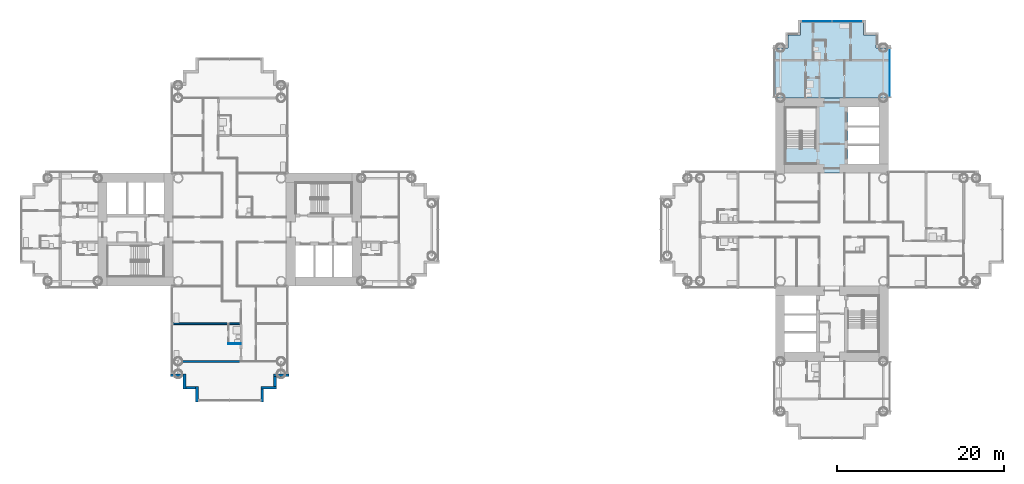
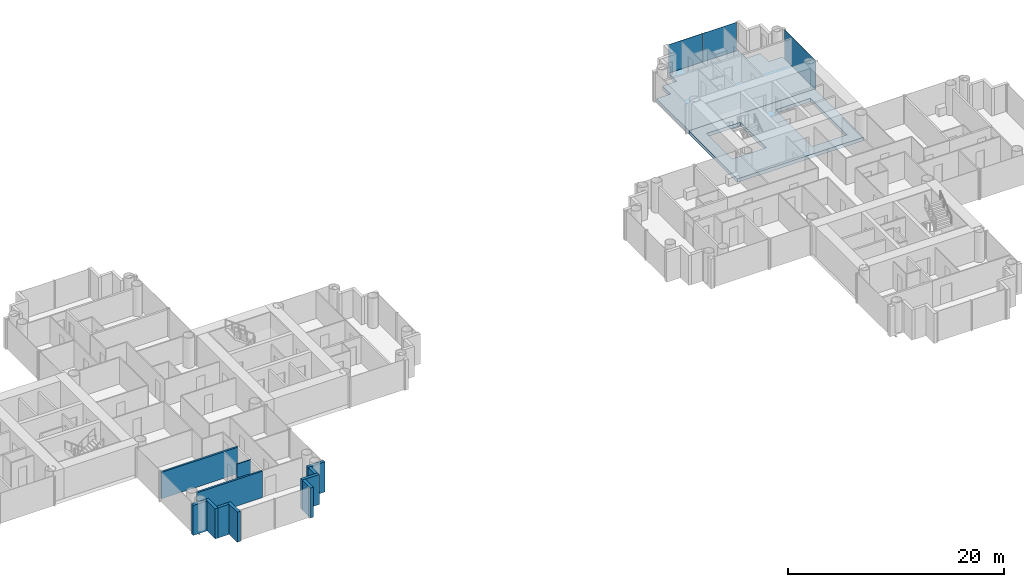
# One storey, part 8 of 21: 11 walls, 3 plates, 2 slabs, 2 elements without a shape of their own.
"""IFC4 building model written with IfcOpenShell, lengths in metres."""

from ifc_helpers import new_model, si_unit, direction, frame, frame_2d, origin, origin_2d, place, context, subcontext, project, spatial, polyline, rectangle, outline, extrude, material, layer, layer_set, type_object, element, aggregate, save


model = new_model("IFC4")

# Units and contexts
model_context = context("Model", 3, precision=1e-05, world=origin(), true_north=direction((0.0, 1.0)))
body_context = subcontext(model_context, "Body", "Model", "MODEL_VIEW")
ifc_project = project(units=[si_unit("LENGTHUNIT", "METRE"), si_unit("AREAUNIT", "SQUARE_METRE"), si_unit("VOLUMEUNIT", "CUBIC_METRE"), si_unit("PLANEANGLEUNIT", "RADIAN"), si_unit("MASSUNIT", "GRAM", prefix="KILO")], contexts=[model_context])

# Site, building, storey
site_placement = place(None, origin())
site = spatial("IfcSite", under=ifc_project, at=site_placement, CompositionType="ELEMENT")
building_placement = place(site_placement, origin())
building = spatial("IfcBuilding", under=site, at=building_placement, Name="Ipe Terrace Towers", CompositionType="ELEMENT")
storey_placement = place(building_placement, frame((0.0, 0.0, 34.699951171875)))
storey = spatial("IfcBuildingStorey", under=building, at=storey_placement, Name="L08", CompositionType="ELEMENT", Elevation=34.699951171875)

# Slabs
ifc_material_1 = material(Name="Concrete C30/37", Category="concrete")
ifc_layer_1 = layer(ifc_material_1, 0.39990234375)
ifc_layer_set_1 = layer_set([ifc_layer_1], Name="CORE FLOOR SLAB 400 C30-37")
slab_type_1 = type_object("IfcSlabType", Name="CORE FLOOR SLAB 400 C30-37", PredefinedType="FLOOR", material=ifc_layer_set_1)
slab_1_placement = place(storey_placement, frame((0.0, 0.0, -0.39990234375)))
element("IfcSlab", 1, at=slab_1_placement, inside=storey, type_object=slab_type_1, Name="Core floor T2-C1", PredefinedType="FLOOR", context=body_context, shape_type="SweptSolid", body=[
    extrude(outline(polyline([(29.25, 6.75), (29.25, 15.75), (42.75, 15.75), (42.75, 6.75), (29.25, 6.75)]), holes=[polyline([(41.64990234375, 7.85009765625), (41.64990234375, 14.64990234375), (37.89990234375, 14.64990234375), (37.89990234375, 7.85009765625), (41.64990234375, 7.85009765625)]), polyline([(30.449951171875, 9.800048828125), (34.10009765625, 9.800048828125), (34.10009765625, 14.550048828125), (30.449951171875, 14.550048828125), (30.449951171875, 9.800048828125)])]), origin(), (0.0, 0.0, 1.0), 0.39990234375),
])
ifc_material_2 = material(Name="Concrete C40/50", Category="concrete")
ifc_layer_2 = layer(ifc_material_2, 0.39990234375)
ifc_layer_set_2 = layer_set([ifc_layer_2], Name="FLAT PLATE SLAB 400 C40-50")
slab_type_2 = type_object("IfcSlabType", Name="FLAT PLATE SLAB 400 C40-50", PredefinedType="FLOOR", material=ifc_layer_set_2)
slab_2_placement = place(storey_placement, frame((0.0, 0.0, -0.39990234375)))
element("IfcSlab", 2, at=slab_2_placement, inside=storey, type_object=slab_type_2, Name="Slab T2-FS-Z13", PredefinedType="FLOOR", context=body_context, shape_type="SweptSolid", body=[
    extrude(outline(polyline([(30.75, 21.75), (30.75, 23.25), (32.25, 23.25), (32.25, 24.75), (39.75, 24.75), (39.75, 23.25), (41.25, 23.25), (41.25, 21.75), (42.75, 21.75), (42.75, 15.75), (29.25, 15.75), (29.25, 21.75), (30.75, 21.75)])), origin(), (0.0, 0.0, 1.0), 0.39990234375),
])

# Curtain wall, plate
ifc_material_3 = material(Name="Aluminium alloy 6063-T6", Category="aluminium")
ifc_layer_3 = layer(ifc_material_3, 0.320068359375)
ifc_layer_set_3 = layer_set([ifc_layer_3], Name="TOWER UNITISED CURTAIN WALL")
curtain_wall_type = type_object("IfcCurtainWallType", Name="TOWER UNITISED CURTAIN WALL", PredefinedType="NOTDEFINED", material=ifc_layer_set_3)
curtain_wall_1_placement = place(storey_placement, origin())
curtain_wall_1 = element("IfcCurtainWall", 3, at=curtain_wall_1_placement, inside=storey, type_object=curtain_wall_type, Name="T2-CW-L08-20b curtain wall", PredefinedType="NOTDEFINED")
ifc_material_4 = material(Name="Glass, clear laminated", Category="glass")
ifc_layer_4 = layer(ifc_material_4, 0.031982421875)
ifc_layer_set_4 = layer_set([ifc_layer_4], Name="TOWER UNITISED GLASS PANEL 32")
plate_type = type_object("IfcPlateType", Name="TOWER UNITISED GLASS PANEL 32", PredefinedType="CURTAIN_PANEL", material=ifc_layer_set_4)
plate_1_placement = place(storey_placement, frame((42.909912109375, 18.75048828125, -0.2998046875), z_axis=(0.0, 0.0, 1.0), x_axis=(0.0, 1.0, 0.0)))
plate_1 = element("IfcPlate", 4, at=plate_1_placement, type_object=plate_type, Name="T2-CW-L08-20b panel 1", PredefinedType="CURTAIN_PANEL", context=body_context, shape_type="SweptSolid", body=[
    extrude(rectangle(XDim=5.759033203125, YDim=0.031982421875, at=origin_2d()), origin(), (0.0, 0.0, 1.0), 3.39990234375),
])
aggregate(curtain_wall_1, [plate_1])

# Curtain wall, plates
curtain_wall_2_placement = place(storey_placement, origin())
curtain_wall_2 = element("IfcCurtainWall", 5, at=curtain_wall_2_placement, inside=storey, type_object=curtain_wall_type, Name="T2-CW-L08-25a curtain wall", PredefinedType="NOTDEFINED")
plate_2_placement = place(storey_placement, frame((37.831298828125, 24.909912109375, -0.2998046875), z_axis=(0.0, 0.0, 1.0), x_axis=(-1.0, 0.0, 0.0)))
plate_2 = element("IfcPlate", 6, at=plate_2_placement, type_object=plate_type, Name="T2-CW-L08-25a panel 1", PredefinedType="CURTAIN_PANEL", context=body_context, shape_type="SweptSolid", body=[
    extrude(rectangle(XDim=3.597412109375, YDim=0.031982421875, at=origin_2d()), origin(), (0.0, 0.0, 1.0), 3.39990234375),
])
plate_3_placement = place(storey_placement, frame((34.168701171875, 24.909912109375, -0.2998046875), z_axis=(0.0, 0.0, 1.0), x_axis=(-1.0, 0.0, 0.0)))
plate_3 = element("IfcPlate", 7, at=plate_3_placement, type_object=plate_type, Name="T2-CW-L08-25a panel 2", PredefinedType="CURTAIN_PANEL", context=body_context, shape_type="SweptSolid", body=[
    extrude(rectangle(XDim=3.597412109375, YDim=0.031982421875, at=origin_2d()), origin(), (0.0, 0.0, 1.0), 3.39990234375),
])
aggregate(curtain_wall_2, [plate_2, plate_3])

# Walls
ifc_material_5 = material(Name="Concrete C40/50 with buff precast cladding", Category="concrete")
ifc_layer_5 = layer(ifc_material_5, 0.320068359375)
ifc_layer_set_5 = layer_set([ifc_layer_5], Name="BUFF CLADDING WALL 320")
wall_type_1 = type_object("IfcWallType", Name="BUFF CLADDING WALL 320", PredefinedType="STANDARD", material=ifc_layer_set_5)
wall_1_placement = place(storey_placement, frame((-43.070068359375, -17.409912109375, -0.300048828125), z_axis=(0.0, 0.0, 1.0), x_axis=(1.0, 0.0, 0.0)))
element("IfcWall", 8, at=wall_1_placement, inside=storey, type_object=wall_type_1, Name="T1-W-L08-08a wall", PredefinedType="STANDARD", context=body_context, shape_type="SweptSolid", body=[
    extrude(rectangle(XDim=1.5, YDim=0.320068359375, at=frame_2d((0.75, 0.0))), origin(), (0.0, 0.0, 1.0), 3.400146484375),
])
wall_2_placement = place(storey_placement, frame((-41.409912109375, -17.25, -0.300048828125), z_axis=(0.0, 0.0, 1.0), x_axis=(0.0, -1.0, 0.0)))
element("IfcWall", 9, at=wall_2_placement, inside=storey, type_object=wall_type_1, Name="T1-W-L08-09a wall", PredefinedType="STANDARD", context=body_context, shape_type="SweptSolid", body=[
    extrude(rectangle(XDim=1.820068359375, YDim=0.320068359375, at=frame_2d((0.91015625, 0.0))), origin(), (0.0, 0.0, 1.0), 3.400146484375),
])
wall_3_placement = place(storey_placement, frame((-41.25, -18.909912109375, -0.300048828125), z_axis=(0.0, 0.0, 1.0), x_axis=(1.0, 0.0, 0.0)))
element("IfcWall", 10, at=wall_3_placement, inside=storey, type_object=wall_type_1, Name="T1-W-L08-10a wall", PredefinedType="STANDARD", context=body_context, shape_type="SweptSolid", body=[
    extrude(rectangle(XDim=1.179931640625, YDim=0.320068359375, at=frame_2d((0.58984375, 0.0))), origin(), (0.0, 0.0, 1.0), 3.400146484375),
])
wall_4_placement = place(storey_placement, frame((-39.909912109375, -18.75, -0.300048828125), z_axis=(0.0, 0.0, 1.0), x_axis=(0.0, -1.0, 0.0)))
element("IfcWall", 11, at=wall_4_placement, inside=storey, type_object=wall_type_1, Name="T1-W-L08-11a wall", PredefinedType="STANDARD", context=body_context, shape_type="SweptSolid", body=[
    extrude(rectangle(XDim=1.820068359375, YDim=0.320068359375, at=frame_2d((0.91015625, 0.0))), origin(), (0.0, 0.0, 1.0), 3.400146484375),
])
wall_5_placement = place(storey_placement, frame((-32.090087890625, -20.570068359375, -0.300048828125), z_axis=(0.0, 0.0, 1.0), x_axis=(0.0, 1.0, 0.0)))
element("IfcWall", 12, at=wall_5_placement, inside=storey, type_object=wall_type_1, Name="T1-W-L08-13a wall", PredefinedType="STANDARD", context=body_context, shape_type="SweptSolid", body=[
    extrude(rectangle(XDim=1.5, YDim=0.320068359375, at=frame_2d((0.75, 0.0))), origin(), (0.0, 0.0, 1.0), 3.400146484375),
])
wall_6_placement = place(storey_placement, frame((-32.25, -18.909912109375, -0.300048828125), z_axis=(0.0, 0.0, 1.0), x_axis=(1.0, 0.0, 0.0)))
element("IfcWall", 13, at=wall_6_placement, inside=storey, type_object=wall_type_1, Name="T1-W-L08-14a wall", PredefinedType="STANDARD", context=body_context, shape_type="SweptSolid", body=[
    extrude(rectangle(XDim=1.820068359375, YDim=0.320068359375, at=frame_2d((0.91015625, 0.0))), origin(), (0.0, 0.0, 1.0), 3.400146484375),
])
wall_7_placement = place(storey_placement, frame((-30.590087890625, -18.75, -0.300048828125), z_axis=(0.0, 0.0, 1.0), x_axis=(0.0, 1.0, 0.0)))
element("IfcWall", 14, at=wall_7_placement, inside=storey, type_object=wall_type_1, Name="T1-W-L08-15a wall", PredefinedType="STANDARD", context=body_context, shape_type="SweptSolid", body=[
    extrude(rectangle(XDim=1.179931640625, YDim=0.320068359375, at=frame_2d((0.58984375, 0.0))), origin(), (0.0, 0.0, 1.0), 3.400146484375),
])
wall_8_placement = place(storey_placement, frame((-30.75, -17.409912109375, -0.300048828125), z_axis=(0.0, 0.0, 1.0), x_axis=(1.0, 0.0, 0.0)))
element("IfcWall", 15, at=wall_8_placement, inside=storey, type_object=wall_type_1, Name="T1-W-L08-16a wall", PredefinedType="STANDARD", context=body_context, shape_type="SweptSolid", body=[
    extrude(rectangle(XDim=1.820068359375, YDim=0.320068359375, at=frame_2d((0.91015625, 0.0))), origin(), (0.0, 0.0, 1.0), 3.400146484375),
])
ifc_material_6 = material(Name="Gypsum board partition", Category="plasterboard")
ifc_layer_6 = layer(ifc_material_6, 0.10009765625)
ifc_layer_set_6 = layer_set([ifc_layer_6], Name="Gypsum board partition 100 mm")
wall_type_2 = type_object("IfcWallType", Name="Gypsum board partition 100 mm", PredefinedType="PARTITIONING", material=ifc_layer_set_6)
wall_9_placement = place(storey_placement, frame((-36.14990234375, -13.64990234375, 0.0), z_axis=(0.0, 0.0, 1.0), x_axis=(1.0, 0.0, 0.0)))
element("IfcWall", 16, at=wall_9_placement, inside=storey, type_object=wall_type_2, Name="Gypsum board partition T1 L08 W23", PredefinedType="PARTITIONING", context=body_context, shape_type="SweptSolid", body=[
    extrude(rectangle(XDim=1.5, YDim=0.10009765625, at=frame_2d((0.75, 0.0))), origin(), (0.0, 0.0, 1.0), 3.0),
])
ifc_material_7 = material(Name="Gypsum board party wall", Category="plasterboard")
ifc_layer_7 = layer(ifc_material_7, 0.199951171875)
ifc_layer_set_7 = layer_set([ifc_layer_7], Name="Gypsum board party wall 200 mm")
wall_type_3 = type_object("IfcWallType", Name="Gypsum board party wall 200 mm", PredefinedType="SOLIDWALL", material=ifc_layer_set_7)
wall_10_placement = place(storey_placement, frame((-41.64990234375, -15.75, 0.0), z_axis=(0.0, 0.0, 1.0), x_axis=(1.0, 0.0, 0.0)))
element("IfcWall", 17, at=wall_10_placement, inside=storey, type_object=wall_type_3, Name="Gypsum board party wall T1 L08 W22", PredefinedType="SOLIDWALL", context=body_context, shape_type="SweptSolid", body=[
    extrude(rectangle(XDim=7.0, YDim=0.199951171875, at=frame_2d((3.5, 0.0))), origin(), (0.0, 0.0, 1.0), 3.0),
])
wall_11_placement = place(storey_placement, frame((-42.85009765625, -11.25, 0.0), z_axis=(0.0, 0.0, 1.0), x_axis=(1.0, 0.0, 0.0)))
element("IfcWall", 18, at=wall_11_placement, inside=storey, type_object=wall_type_3, Name="Gypsum board party wall T1 L08 W25", PredefinedType="SOLIDWALL", context=body_context, shape_type="SweptSolid", body=[
    extrude(rectangle(XDim=8.2001953125, YDim=0.199951171875, at=frame_2d((4.10009765625, 0.0))), origin(), (0.0, 0.0, 1.0), 3.0),
])

save(model, "model.ifc")
